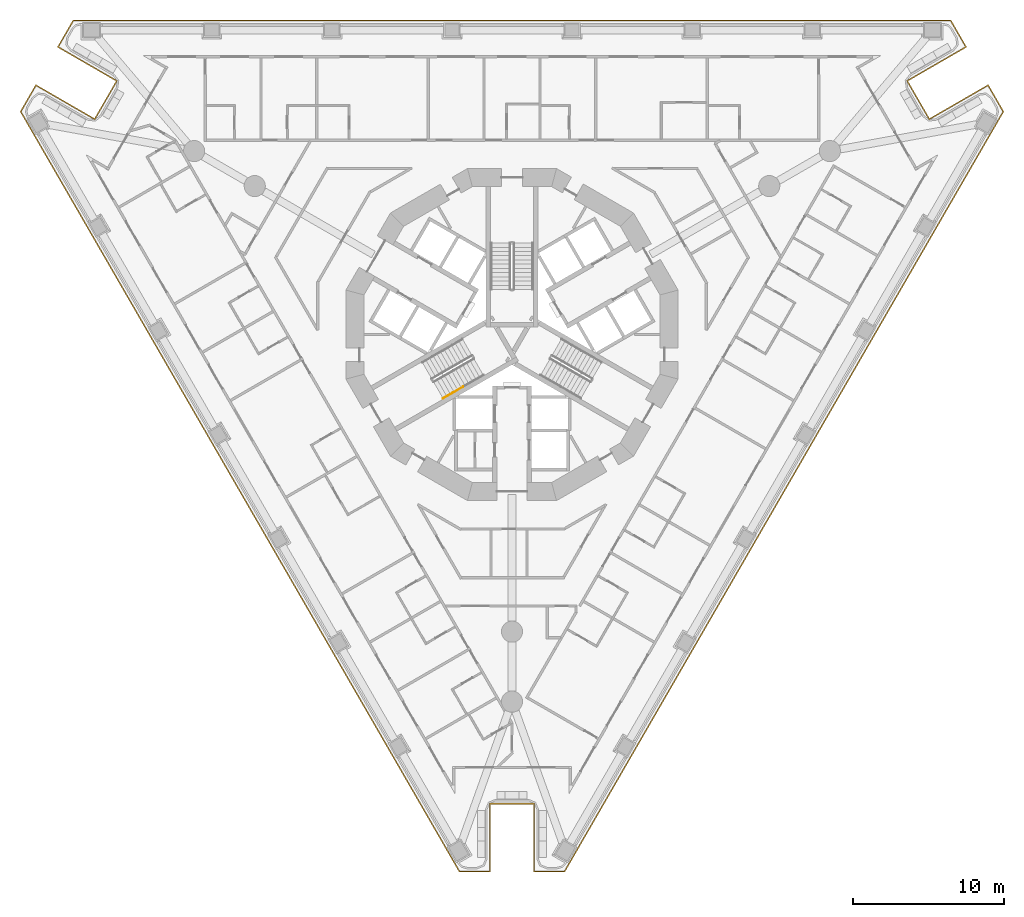
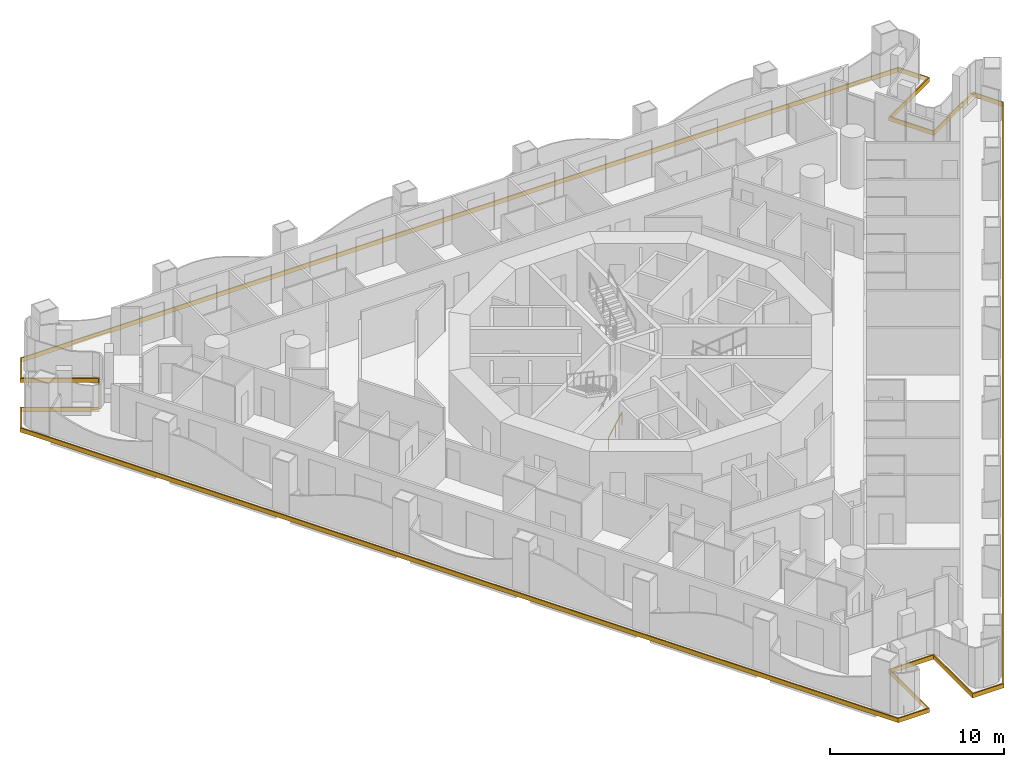
# One storey, part 13 of 20: 1 covering, 1 railing.
"""IFC4 building model written with IfcOpenShell, lengths in metres."""

from ifc_helpers import new_model, si_unit, direction, frame, origin, origin_2d, place, context, subcontext, project, spatial, polyline, circle, outline, extrude, material, layer, layer_set, type_object, element, save


model = new_model("IFC4")

# Units and contexts
model_context = context("Model", 3, precision=1e-05, world=origin(), true_north=direction((0.0, 1.0)))
body_context = subcontext(model_context, "Body", "Model", "MODEL_VIEW")
ifc_project = project(units=[si_unit("LENGTHUNIT", "METRE"), si_unit("AREAUNIT", "SQUARE_METRE"), si_unit("VOLUMEUNIT", "CUBIC_METRE"), si_unit("PLANEANGLEUNIT", "RADIAN"), si_unit("MASSUNIT", "GRAM", prefix="KILO")], contexts=[model_context])

# Site, building, storey
site_placement = place(None, origin())
site = spatial("IfcSite", under=ifc_project, at=site_placement, CompositionType="ELEMENT")
building_placement = place(site_placement, origin())
building = spatial("IfcBuilding", under=site, at=building_placement, Name="Trine Commons Tower", CompositionType="ELEMENT")
storey_placement = place(building_placement, frame((0.0, 0.0, 35.10009765625)))
storey = spatial("IfcBuildingStorey", under=building, at=storey_placement, Name="L07", CompositionType="ELEMENT", Elevation=35.10009765625)

# Covering
ifc_material_1 = material(Name="Limestone, honed", Category="masonry")
ifc_layer = layer(ifc_material_1, 0.074951171875)
ifc_layer_set = layer_set([ifc_layer], Name="Limestone, honed")
covering_type = type_object("IfcCoveringType", Name="Limestone spandrel panel 75", PredefinedType="CLADDING", material=ifc_layer_set)
covering_placement = place(storey_placement, frame((0.0, 0.0, -0.300048828125)))
element("IfcCovering", 1, at=covering_placement, inside=storey, type_object=covering_type, Name="Limestone spandrel panel 1-01", PredefinedType="CLADDING", context=body_context, shape_type="SweptSolid", body=[
    extrude(outline(polyline([(81.425048828125, 31.355712890625), (81.425048828125, 26.855712890625), (83.50732421875, 26.855712890625), (112.62255859375, 77.28466796875), (111.581298828125, 79.087890625), (107.68408203125, 76.837890625), (106.25927734375, 79.30615234375), (110.15625, 81.55615234375), (109.114990234375, 83.359619140625), (50.885009765625, 83.359619140625), (49.84375, 81.55615234375), (53.74072265625, 79.30615234375), (52.31591796875, 76.837890625), (48.418701171875, 79.087890625), (47.37744140625, 77.28466796875), (76.49267578125, 26.855712890625), (78.574951171875, 26.855712890625), (78.574951171875, 31.355712890625), (81.425048828125, 31.355712890625)]), holes=[polyline([(111.5537109375, 78.985595703125), (112.535888671875, 77.28466796875), (83.464111328125, 26.930908203125), (81.5, 26.930908203125), (81.5, 31.430908203125), (78.5, 31.430908203125), (78.5, 26.930908203125), (76.535888671875, 26.930908203125), (47.464111328125, 77.28466796875), (48.4462890625, 78.985595703125), (52.34326171875, 76.735595703125), (53.84326171875, 79.33349609375), (49.9462890625, 81.58349609375), (50.92822265625, 83.28466796875), (109.07177734375, 83.28466796875), (110.0537109375, 81.58349609375), (106.15673828125, 79.33349609375), (107.65673828125, 76.735595703125), (111.5537109375, 78.985595703125)])]), origin(), (0.0, 0.0, 1.0), 0.300048828125),
])

# Railing
ifc_material_2 = material(Name="Stainless steel handrail", Category="steel")
railing_type = type_object("IfcRailingType", Name="Stair handrail, steel 900", PredefinedType="HANDRAIL", material=ifc_material_2)
railing_placement = place(storey_placement, frame((75.43017578125, 58.27392578125, 0.14990234375)))
element("IfcRailing", 2, at=railing_placement, inside=storey, type_object=railing_type, Name="L07 ST2A stair handrail 1", PredefinedType="HANDRAIL", context=body_context, shape_type="SweptSolid", body=[
    extrude(circle(Radius=0.02099609375, at=origin_2d()), frame((0.0, 0.0, 0.87890625), z_axis=(0.76340495495, 0.440743040072, 0.472184759798), x_axis=(-0.499992328818, 0.866029832698, 0.0)), (0.0, 0.0, 1.0), 1.7470703125),
    extrude(circle(Radius=0.01513671875, at=origin_2d()), origin(), (0.0, 0.0, 1.0), 0.85791015625),
    extrude(circle(Radius=0.01513671875, at=origin_2d()), frame((0.6669921875, 0.385009765625, 0.41259765625)), (0.0, 0.0, 1.0), 0.85791015625),
    extrude(circle(Radius=0.01513671875, at=origin_2d()), frame((1.333740234375, 0.77001953125, 0.824951171875)), (0.0, 0.0, 1.0), 0.85791015625),
])

save(model, "model.ifc")
